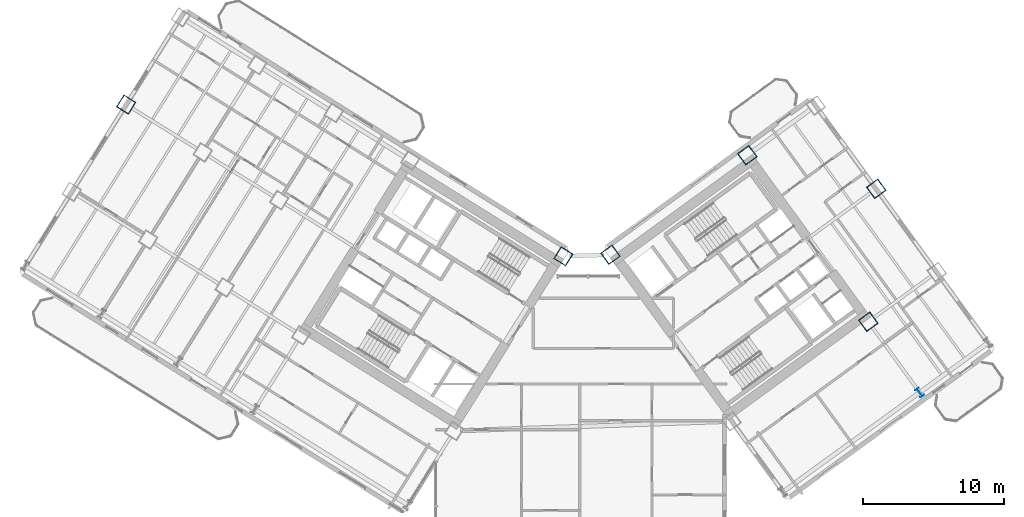
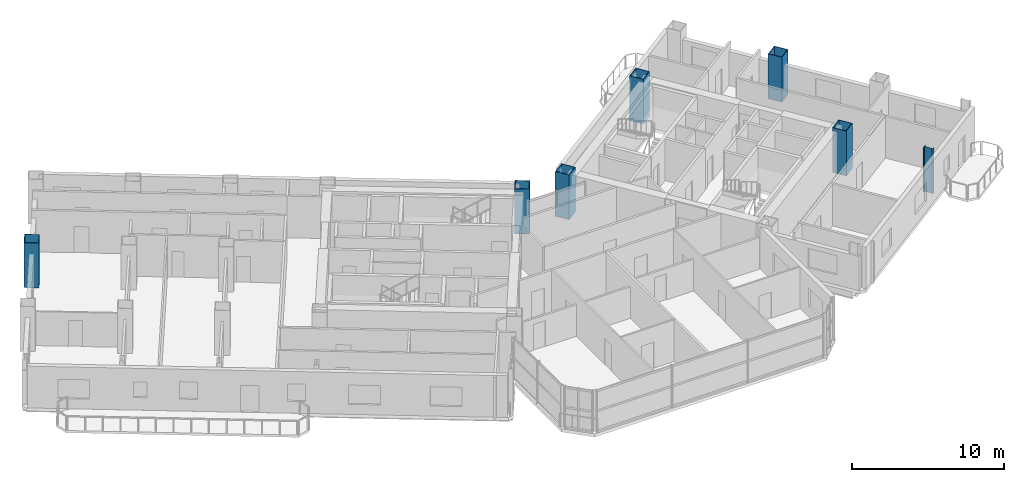
# One storey, part 2 of 24: 7 columns.
"""IFC4 building model written with IfcOpenShell, lengths in metres."""

from ifc_helpers import new_model, si_unit, direction, frame, origin, origin_2d, place, context, subcontext, project, spatial, hollow_rectangle, i_section, extrude, source, transform, mapped, material, material_profile, profile_set, type_object, element, save


model = new_model("IFC4")

# Units and contexts
model_context = context("Model", 3, precision=1e-05, world=origin(), true_north=direction((0.0, 1.0)))
body_context = subcontext(model_context, "Body", "Model", "MODEL_VIEW")
ifc_project = project(units=[si_unit("LENGTHUNIT", "METRE"), si_unit("AREAUNIT", "SQUARE_METRE"), si_unit("VOLUMEUNIT", "CUBIC_METRE"), si_unit("PLANEANGLEUNIT", "RADIAN"), si_unit("MASSUNIT", "GRAM", prefix="KILO")], contexts=[model_context])

# Site, building, storey
site_placement = place(None, origin())
site = spatial("IfcSite", under=ifc_project, at=site_placement, CompositionType="ELEMENT")
building_placement = place(site_placement, origin())
building = spatial("IfcBuilding", under=site, at=building_placement, Name="Tlacorven Tower", CompositionType="ELEMENT")
storey_placement = place(building_placement, frame((0.0, 0.0, 38.39990234375)))
storey = spatial("IfcBuildingStorey", under=building, at=storey_placement, Name="L09", CompositionType="ELEMENT", Elevation=38.39990234375)

# Columns
ifc_material = material(Name="Steel S460M", Category="steel")
ifc_material_profile_1 = material_profile(ifc_material, hollow_rectangle(XDim=1.0, YDim=1.0, WallThickness=0.0400390625, at=origin_2d()), Name="BOX 1000X1000X40")
ifc_profile_set_1 = profile_set([ifc_material_profile_1], Name="Steel S460M")
column_type_1 = type_object("IfcColumnType", Name="COL-TWR-S1", PredefinedType="COLUMN", material=ifc_profile_set_1)
shared_shape_1 = source(origin(), body_context, "Body", "SweptSolid", [
    extrude(hollow_rectangle(XDim=1.0, YDim=1.0, WallThickness=0.0400390625, at=origin_2d()), origin(), (0.0, 0.0, 1.0), 3.60009765625),
])
for number, where, z_axis, x_axis, name in (
    (1, (40.782958984375, 24.468505859375, 0.0), (0.0, 0.0, 1.0), (-0.848048096156, 0.529919264233, 0.0), "L09 column COL-L09-W1-1"),
    (2, (9.777099609375, 35.235107421875, 0.0), (0.0, 0.0, 1.0), (-0.848048096156, 0.529919264233, 0.0), "L09 column COL-L09-W6-2"),
    (3, (44.123779296875, 24.5849609375, 0.0), (0.0, 0.0, 1.0), (0.809016994375, 0.587785252292, 0.0), "L09 column COL-L09-E1-4"),
    (4, (62.41357421875, 19.826904296875, 0.0), (0.0, 0.0, 1.0), (0.809016994375, 0.587785252292, 0.0), "L09 column COL-L09-E3-2"),
    (5, (53.83203125, 31.638427734375, 0.0), (0.0, 0.0, 1.0), (0.809016994375, 0.587785252292, 0.0), "L09 column COL-L09-E3-4"),
    (6, (62.976806640625, 29.25927734375, 0.0), (0.0, 0.0, 1.0), (0.809016994375, 0.587785252292, 0.0), "L09 column COL-L09-E4-3"),
):
    element("IfcColumn", number, at=place(storey_placement, frame(where, z_axis=z_axis, x_axis=x_axis)), inside=storey, type_object=column_type_1, Name=name, PredefinedType="COLUMN", context=body_context, shape_type="MappedRepresentation", body=[
        mapped(shared_shape_1, transform((0.0, 0.0, 0.0), scale=1.0)),
    ])
ifc_material_profile_2 = material_profile(ifc_material, i_section(OverallWidth=0.300048828125, OverallDepth=0.64990234375, WebThickness=0.01611328125, FlangeThickness=0.031005859375, at=origin_2d()), Name="HEB 650")
ifc_profile_set_2 = profile_set([ifc_material_profile_2], Name="Steel S460M")
column_type_2 = type_object("IfcColumnType", Name="COL-TWR-P1", PredefinedType="COLUMN", material=ifc_profile_set_2)
shared_shape_2 = source(origin(), body_context, "Body", "SweptSolid", [
    extrude(i_section(OverallWidth=0.300048828125, OverallDepth=0.64990234375, WebThickness=0.01611328125, FlangeThickness=0.031005859375, at=origin_2d()), origin(), (0.0, 0.0, 1.0), 3.60009765625),
])
column_placement = place(storey_placement, frame((66.057861328125, 14.81103515625, 0.0), z_axis=(0.0, 0.0, 1.0), x_axis=(0.809016994375, 0.587785252292, 0.0)))
element("IfcColumn", 7, at=column_placement, inside=storey, type_object=column_type_2, Name="L09 column COL-L09-E3-1", PredefinedType="COLUMN", context=body_context, shape_type="MappedRepresentation", body=[
    mapped(shared_shape_2, transform((0.0, 0.0, 0.0), scale=1.0)),
])

save(model, "model.ifc")
